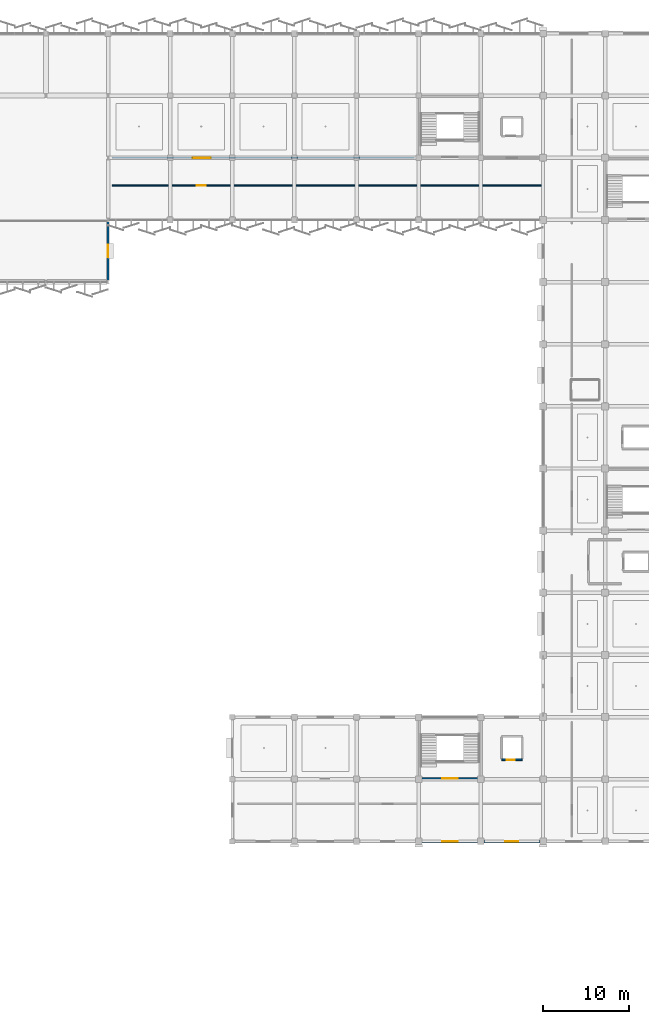
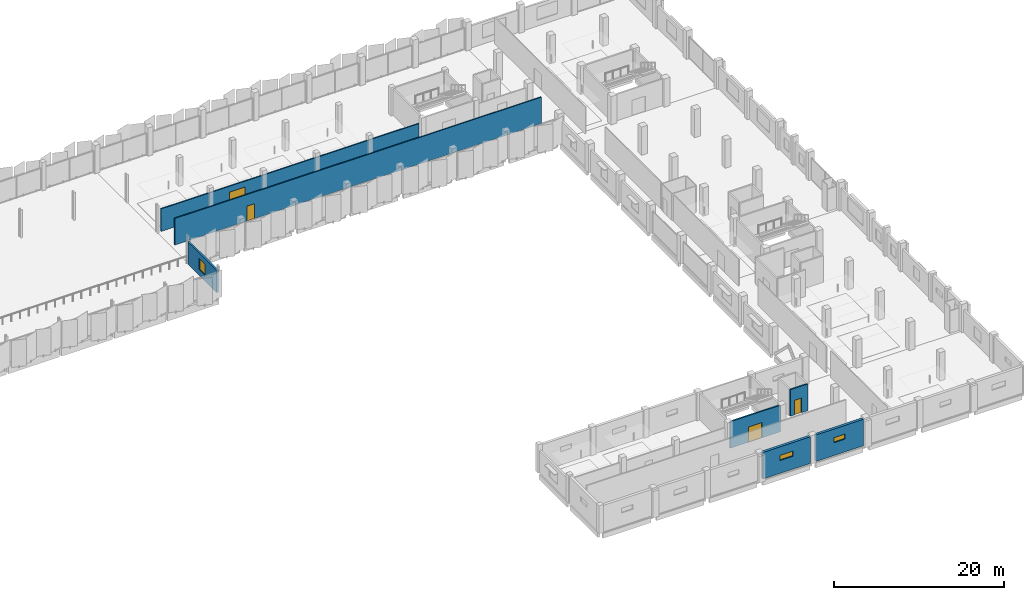
# One storey, part 82 of 107: 7 walls, 4 doors, 3 windows, 7 openings.
"""IFC4 building model written with IfcOpenShell, lengths in metres."""

from ifc_helpers import new_model, si_unit, direction, frame, frame_2d, origin, place, context, subcontext, project, spatial, rectangle, extrude, material, layer, layer_set, type_object, element, fill, save


model = new_model("IFC4")

# Units and contexts
model_context = context("Model", 3, precision=1e-05, world=origin(), true_north=direction((0.0, 1.0)))
body_context = subcontext(model_context, "Body", "Model", "MODEL_VIEW")
ifc_project = project(units=[si_unit("LENGTHUNIT", "METRE"), si_unit("AREAUNIT", "SQUARE_METRE"), si_unit("VOLUMEUNIT", "CUBIC_METRE"), si_unit("PLANEANGLEUNIT", "RADIAN"), si_unit("MASSUNIT", "GRAM", prefix="KILO")], contexts=[model_context])

# Site, building, storey
site_placement = place(None, origin())
site = spatial("IfcSite", under=ifc_project, at=site_placement, CompositionType="ELEMENT")
building_placement = place(site_placement, origin())
building = spatial("IfcBuilding", under=site, at=building_placement, Name="Kangsadwip Square Police Headquarters", CompositionType="ELEMENT")
storey_placement = place(building_placement, frame((0.0, 0.0, 5.39990234375)))
storey = spatial("IfcBuildingStorey", under=building, at=storey_placement, Name="L01", CompositionType="ELEMENT", Elevation=5.39990234375)

# Wall, opening, door
ifc_material_1 = material(Name="Autoclaved aerated concrete blockwork masonry", Category="masonry")
ifc_layer_1 = layer(ifc_material_1, 0.14990234375)
ifc_layer_set_1 = layer_set([ifc_layer_1], Name="Autoclaved aerated concrete blockwork masonry")
wall_type_1 = type_object("IfcWallType", Name="BlockPartition150", PredefinedType="PARTITIONING", material=ifc_layer_set_1)
wall_1_placement = place(storey_placement, frame((94.10009765625, 100.800048828125, 0.0), z_axis=(0.0, 0.0, 1.0), x_axis=(1.0, 0.0, 0.0)))
wall_1 = element("IfcWall", 1, at=wall_1_placement, inside=storey, type_object=wall_type_1, Name="Interior Wall WI-L01-0733", PredefinedType="PARTITIONING", context=body_context, shape_type="SweptSolid", body=[
    extrude(rectangle(XDim=35.0, YDim=0.14990234375, at=frame_2d((17.5, 0.0))), origin(), (0.0, 0.0, 1.0), 3.25),
])
opening_1_placement = place(wall_1_placement, frame((9.2919921875, 0.0, 0.0)))
opening_1 = element("IfcOpeningElement", 2, at=opening_1_placement, cuts=wall_1, Name="Opening ID-21", PredefinedType="OPENING", context=body_context, shape_type="SweptSolid", body=[
    extrude(rectangle(XDim=2.10009765625, YDim=2.39990234375, at=frame_2d((1.050048828125, 1.199951171875))), frame((0.0, 0.0849609375, 0.0), z_axis=(0.0, -1.0, 0.0), x_axis=(1.0, 0.0, 0.0)), (0.0, 0.0, 1.0), 0.169921875),
])
ifc_material_2 = material(Name="Solid-core seasoned teak hardwood architectural door", Category="wood")
door_type_1 = type_object("IfcDoorType", Name="HallDoubleDoor2100x2400", OperationType="DOUBLE_DOOR_SINGLE_SWING", PredefinedType="DOOR", material=ifc_material_2)
door_1_placement = place(opening_1_placement, origin())
door_1 = element("IfcDoor", 3, at=door_1_placement, inside=storey, type_object=door_type_1, Name="Interior Door ID-L01-0163", OperationType="DOUBLE_DOOR_SINGLE_SWING", OverallHeight=2.39990234375, OverallWidth=2.10009765625, PredefinedType="DOOR", context=body_context, shape_type="SweptSolid", body=[
    extrude(rectangle(XDim=2.10009765625, YDim=2.39990234375, at=frame_2d((1.050048828125, 1.199951171875))), frame((0.0, 0.02490234375, 0.0), z_axis=(0.0, -1.0, 0.0), x_axis=(1.0, 0.0, 0.0)), (0.0, 0.0, 1.0), 0.050048828125),
])
fill(opening_1, door_1)

wall_2_placement = place(storey_placement, frame((94.10009765625, 97.60009765625, 0.0), z_axis=(0.0, 0.0, 1.0), x_axis=(1.0, 0.0, 0.0)))
wall_2 = element("IfcWall", 4, at=wall_2_placement, inside=storey, type_object=wall_type_1, Name="Interior Wall WI-L01-0734", PredefinedType="PARTITIONING", context=body_context, shape_type="SweptSolid", body=[
    extrude(rectangle(XDim=49.75, YDim=0.14990234375, at=frame_2d((24.875, 0.0))), origin(), (0.0, 0.0, 1.0), 3.81005859375),
])
opening_2_placement = place(wall_2_placement, frame((9.7958984375, 0.0, 0.0)))
opening_2 = element("IfcOpeningElement", 5, at=opening_2_placement, cuts=wall_2, Name="Opening FD-10C", PredefinedType="OPENING", context=body_context, shape_type="SweptSolid", body=[
    extrude(rectangle(XDim=1.02001953125, YDim=2.14990234375, at=frame_2d((0.510009765625, 1.074951171875))), frame((0.0, 0.0849609375, 0.0), z_axis=(0.0, -1.0, 0.0), x_axis=(1.0, 0.0, 0.0)), (0.0, 0.0, 1.0), 0.169921875),
])
ifc_material_3 = material(Name="Insulated galvanized steel fire-rated door assembly", Category="steel")
door_type_2 = type_object("IfcDoorType", Name="LabSingleDoor1020x2150", OperationType="NOTDEFINED", PredefinedType="DOOR", material=ifc_material_3)
door_2_placement = place(opening_2_placement, origin())
door_2 = element("IfcDoor", 6, at=door_2_placement, inside=storey, type_object=door_type_2, Name="Interior Door ID-L01-0164", OperationType="SINGLE_SWING_RIGHT", OverallHeight=2.14990234375, OverallWidth=1.02001953125, PredefinedType="DOOR", context=body_context, shape_type="SweptSolid", body=[
    extrude(rectangle(XDim=1.02001953125, YDim=2.14990234375, at=frame_2d((0.510009765625, 1.074951171875))), frame((0.0, 0.02490234375, 0.0), z_axis=(0.0, -1.0, 0.0), x_axis=(1.0, 0.0, 0.0)), (0.0, 0.0, 1.0), 0.050048828125),
])
fill(opening_2, door_2)

# Wall, opening, window
ifc_material_4 = material(Name="Glazed architectural terracotta masonry rainscreen", Category="masonry")
ifc_layer_2 = layer(ifc_material_4, 0.25)
ifc_layer_set_2 = layer_set([ifc_layer_2], Name="Glazed architectural terracotta masonry rainscreen")
wall_type_2 = type_object("IfcWallType", Name="ChicagoTerracottaWall250", PredefinedType="SOLIDWALL", material=ifc_layer_set_2)
wall_3_placement = place(storey_placement, frame((93.60009765625, 86.60302734375, 0.0), z_axis=(0.0, 0.0, 1.0), x_axis=(0.0, 1.0, 0.0)))
wall_3 = element("IfcWall", 7, at=wall_3_placement, inside=storey, type_object=wall_type_2, Name="Exterior Wall WE-L01-271", PredefinedType="SOLIDWALL", context=body_context, shape_type="SweptSolid", body=[
    extrude(rectangle(XDim=6.7939453125, YDim=0.25, at=frame_2d((3.39697265625, 0.0))), origin(), (0.0, 0.0, 1.0), 3.195068359375),
])
opening_3_placement = place(wall_3_placement, frame((2.697021484375, 0.0, 0.85009765625)))
opening_3 = element("IfcOpeningElement", 8, at=opening_3_placement, cuts=wall_3, Name="Opening WN-13", PredefinedType="OPENING", context=body_context, shape_type="SweptSolid", body=[
    extrude(rectangle(XDim=1.39990234375, YDim=1.60009765625, at=frame_2d((0.699951171875, 0.800048828125))), frame((0.0, 0.135009765625, 0.0), z_axis=(0.0, -1.0, 0.0), x_axis=(1.0, 0.0, 0.0)), (0.0, 0.0, 1.0), 0.27001953125),
])
ifc_material_5 = material(Name="Double-glazed solar-control low-E safety glass", Category="glass")
window_type_1 = type_object("IfcWindowType", Name="OfficeCasementWin1400x1600", PartitioningType="SINGLE_PANEL", PredefinedType="WINDOW", material=ifc_material_5)
window_1_placement = place(opening_3_placement, origin())
window_1 = element("IfcWindow", 9, at=window_1_placement, inside=storey, type_object=window_type_1, Name="Window WN-L01-0124", OverallHeight=1.60009765625, OverallWidth=1.39990234375, PartitioningType="SINGLE_PANEL", PredefinedType="WINDOW", context=body_context, shape_type="SweptSolid", body=[
    extrude(rectangle(XDim=1.39990234375, YDim=1.60009765625, at=frame_2d((0.699951171875, 0.800048828125))), frame((0.0, 0.030029296875, 0.0), z_axis=(0.0, -1.0, 0.0), x_axis=(1.0, 0.0, 0.0)), (0.0, 0.0, 1.0), 0.06005859375),
])
fill(opening_3, window_1)

# Wall, opening, door
ifc_material_6 = material(Name="Concrete M40 (40 MPa)", Category="concrete")
ifc_layer_3 = layer(ifc_material_6, 0.199951171875)
ifc_layer_set_3 = layer_set([ifc_layer_3], Name="Concrete M40 (40 MPa)")
wall_type_3 = type_object("IfcWallType", Name="CoreShearWall200", PredefinedType="SHEAR", material=ifc_layer_set_3)
wall_4_placement = place(storey_placement, frame((129.800048828125, 28.89990234375, 0.0), z_axis=(0.0, 0.0, 1.0), x_axis=(1.0, 0.0, 0.0)))
wall_4 = element("IfcWall", 10, at=wall_4_placement, inside=storey, type_object=wall_type_3, Name="Interior Wall WI-L01-0183", PredefinedType="SHEAR", context=body_context, shape_type="SweptSolid", body=[
    extrude(rectangle(XDim=6.800048828125, YDim=0.199951171875, at=frame_2d((3.39990234375, 0.0))), origin(), (0.0, 0.0, 1.0), 3.81005859375),
])
opening_4_placement = place(wall_4_placement, frame((2.5, 0.0, 0.0)))
opening_4 = element("IfcOpeningElement", 11, at=opening_4_placement, cuts=wall_4, Name="Opening FD-18", PredefinedType="OPENING", context=body_context, shape_type="SweptSolid", body=[
    extrude(rectangle(XDim=1.800048828125, YDim=2.199951171875, at=frame_2d((0.89990234375, 1.10009765625))), frame((0.0, 0.10986328125, 0.0), z_axis=(0.0, -1.0, 0.0), x_axis=(1.0, 0.0, 0.0)), (0.0, 0.0, 1.0), 0.219970703125),
])
ifc_material_7 = material(Name="Insulated galvanized steel fire-rated door assembly", Category="steel")
door_type_3 = type_object("IfcDoorType", Name="StairFireDoor1800x2200", OperationType="DOUBLE_DOOR_SINGLE_SWING", PredefinedType="DOOR", material=ifc_material_7)
door_3_placement = place(opening_4_placement, origin())
door_3 = element("IfcDoor", 12, at=door_3_placement, inside=storey, type_object=door_type_3, Name="Interior Door ID-L01-0041", OperationType="DOUBLE_DOOR_SINGLE_SWING", OverallHeight=2.199951171875, OverallWidth=1.800048828125, PredefinedType="DOOR", context=body_context, shape_type="SweptSolid", body=[
    extrude(rectangle(XDim=1.800048828125, YDim=2.199951171875, at=frame_2d((0.89990234375, 1.10009765625))), frame((0.0, 0.02490234375, 0.0), z_axis=(0.0, -1.0, 0.0), x_axis=(1.0, 0.0, 0.0)), (0.0, 0.0, 1.0), 0.050048828125),
])
fill(opening_4, door_3)

wall_5_placement = place(storey_placement, frame((139.22509765625, 31.050048828125, 0.0), z_axis=(0.0, 0.0, 1.0), x_axis=(1.0, 0.0, 0.0)))
wall_5 = element("IfcWall", 13, at=wall_5_placement, inside=storey, type_object=wall_type_3, Name="Interior Wall WI-L01-0491", PredefinedType="SHEAR", context=body_context, shape_type="SweptSolid", body=[
    extrude(rectangle(XDim=2.349853515625, YDim=0.199951171875, at=frame_2d((1.1748046875, 0.0))), origin(), (0.0, 0.0, 1.0), 3.81005859375),
])
opening_5_placement = place(wall_5_placement, frame((0.550048828125, 0.0, 0.0)))
opening_5 = element("IfcOpeningElement", 14, at=opening_5_placement, cuts=wall_5, Name="Opening LD-059", PredefinedType="OPENING", context=body_context, shape_type="SweptSolid", body=[
    extrude(rectangle(XDim=0.949951171875, YDim=2.10009765625, at=frame_2d((0.47509765625, 1.050048828125))), frame((0.0, 0.10986328125, 0.0), z_axis=(0.0, -1.0, 0.0), x_axis=(1.0, 0.0, 0.0)), (0.0, 0.0, 1.0), 0.219970703125),
])
ifc_material_8 = material(Name="Brushed stainless steel automatic sliding lift landing door", Category="steel")
door_type_4 = type_object("IfcDoorType", Name="LiftLandingDoor950x2100", OperationType="DOUBLE_DOOR_SLIDING", PredefinedType="DOOR", material=ifc_material_8)
door_4_placement = place(opening_5_placement, origin())
door_4 = element("IfcDoor", 15, at=door_4_placement, inside=storey, type_object=door_type_4, Name="Interior Door LD-059", OperationType="DOUBLE_DOOR_SLIDING", OverallHeight=2.10009765625, OverallWidth=0.949951171875, PredefinedType="DOOR", context=body_context, shape_type="SweptSolid", body=[
    extrude(rectangle(XDim=0.949951171875, YDim=2.10009765625, at=frame_2d((0.47509765625, 1.050048828125))), frame((0.0, 0.02490234375, 0.0), z_axis=(0.0, -1.0, 0.0), x_axis=(1.0, 0.0, 0.0)), (0.0, 0.0, 1.0), 0.050048828125),
])
fill(opening_5, door_4)

# Wall, opening, window
ifc_material_9 = material(Name="Concrete M40 (40 MPa)", Category="concrete")
ifc_layer_4 = layer(ifc_material_9, 0.35009765625)
ifc_layer_set_4 = layer_set([ifc_layer_4], Name="Concrete M40 (40 MPa)")
wall_type_4 = type_object("IfcWallType", Name="CustodyPerimeterWall350", PredefinedType="SOLIDWALL", material=ifc_layer_set_4)
wall_6_placement = place(storey_placement, frame((129.969970703125, 21.60009765625, 0.0), z_axis=(0.0, 0.0, 1.0), x_axis=(1.0, 0.0, 0.0)))
wall_6 = element("IfcWall", 16, at=wall_6_placement, inside=storey, type_object=wall_type_4, Name="Exterior Wall WE-L01-226", PredefinedType="SOLIDWALL", context=body_context, shape_type="SweptSolid", body=[
    extrude(rectangle(XDim=6.4599609375, YDim=0.35009765625, at=frame_2d((3.22998046875, 0.0))), origin(), (0.0, 0.0, 1.0), 3.81005859375),
])
opening_6_placement = place(wall_6_placement, frame((2.330078125, 0.0, 1.85009765625)))
opening_6 = element("IfcOpeningElement", 17, at=opening_6_placement, cuts=wall_6, Name="Opening WN-16", PredefinedType="OPENING", context=body_context, shape_type="SweptSolid", body=[
    extrude(rectangle(XDim=1.800048828125, YDim=0.75, at=frame_2d((0.89990234375, 0.375))), frame((0.0, 0.18505859375, 0.0), z_axis=(0.0, -1.0, 0.0), x_axis=(1.0, 0.0, 0.0)), (0.0, 0.0, 1.0), 0.3701171875),
])
ifc_material_10 = material(Name="Double-glazed solar-control low-E safety glass", Category="glass")
window_type_2 = type_object("IfcWindowType", Name="CustodyClerestoryWin1800x750", PartitioningType="DOUBLE_PANEL_HORIZONTAL", PredefinedType="WINDOW", material=ifc_material_10)
window_2_placement = place(opening_6_placement, origin())
window_2 = element("IfcWindow", 18, at=window_2_placement, inside=storey, type_object=window_type_2, Name="Window WN-L01-0079", OverallHeight=0.75, OverallWidth=1.800048828125, PartitioningType="SINGLE_PANEL", PredefinedType="WINDOW", context=body_context, shape_type="SweptSolid", body=[
    extrude(rectangle(XDim=1.800048828125, YDim=0.75, at=frame_2d((0.89990234375, 0.375))), frame((0.0, 0.030029296875, 0.0), z_axis=(0.0, -1.0, 0.0), x_axis=(1.0, 0.0, 0.0)), (0.0, 0.0, 1.0), 0.06005859375),
])
fill(opening_6, window_2)

wall_7_placement = place(storey_placement, frame((137.169921875, 21.60009765625, 0.0), z_axis=(0.0, 0.0, 1.0), x_axis=(1.0, 0.0, 0.0)))
wall_7 = element("IfcWall", 19, at=wall_7_placement, inside=storey, type_object=wall_type_4, Name="Exterior Wall WE-L01-227", PredefinedType="SOLIDWALL", context=body_context, shape_type="SweptSolid", body=[
    extrude(rectangle(XDim=6.4599609375, YDim=0.35009765625, at=frame_2d((3.22998046875, 0.0))), origin(), (0.0, 0.0, 1.0), 3.81005859375),
])
opening_7_placement = place(wall_7_placement, frame((2.47998046875, 0.0, 1.85009765625)))
opening_7 = element("IfcOpeningElement", 20, at=opening_7_placement, cuts=wall_7, Name="Opening WN-17", PredefinedType="OPENING", context=body_context, shape_type="SweptSolid", body=[
    extrude(rectangle(XDim=1.5, YDim=0.699951171875, at=frame_2d((0.75, 0.35009765625))), frame((0.0, 0.18505859375, 0.0), z_axis=(0.0, -1.0, 0.0), x_axis=(1.0, 0.0, 0.0)), (0.0, 0.0, 1.0), 0.3701171875),
])
ifc_material_11 = material(Name="Double-glazed solar-control low-E safety glass", Category="glass")
window_type_3 = type_object("IfcWindowType", Name="CustodyClerestoryWin1500x700", PartitioningType="SINGLE_PANEL", PredefinedType="WINDOW", material=ifc_material_11)
window_3_placement = place(opening_7_placement, origin())
window_3 = element("IfcWindow", 21, at=window_3_placement, inside=storey, type_object=window_type_3, Name="Window WN-L01-0080", OverallHeight=0.699951171875, OverallWidth=1.5, PartitioningType="SINGLE_PANEL", PredefinedType="WINDOW", context=body_context, shape_type="SweptSolid", body=[
    extrude(rectangle(XDim=1.5, YDim=0.699951171875, at=frame_2d((0.75, 0.35009765625))), frame((0.0, 0.030029296875, 0.0), z_axis=(0.0, -1.0, 0.0), x_axis=(1.0, 0.0, 0.0)), (0.0, 0.0, 1.0), 0.06005859375),
])
fill(opening_7, window_3)

save(model, "model.ifc")
